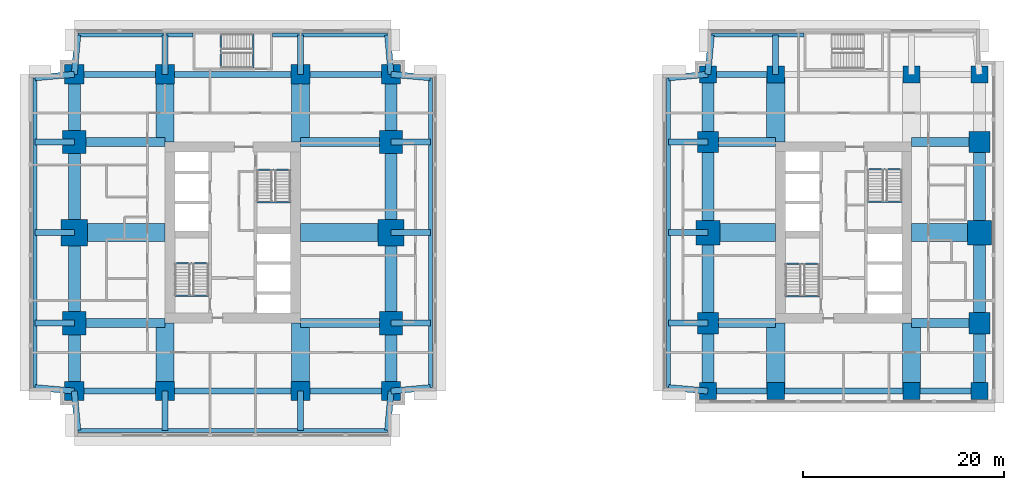
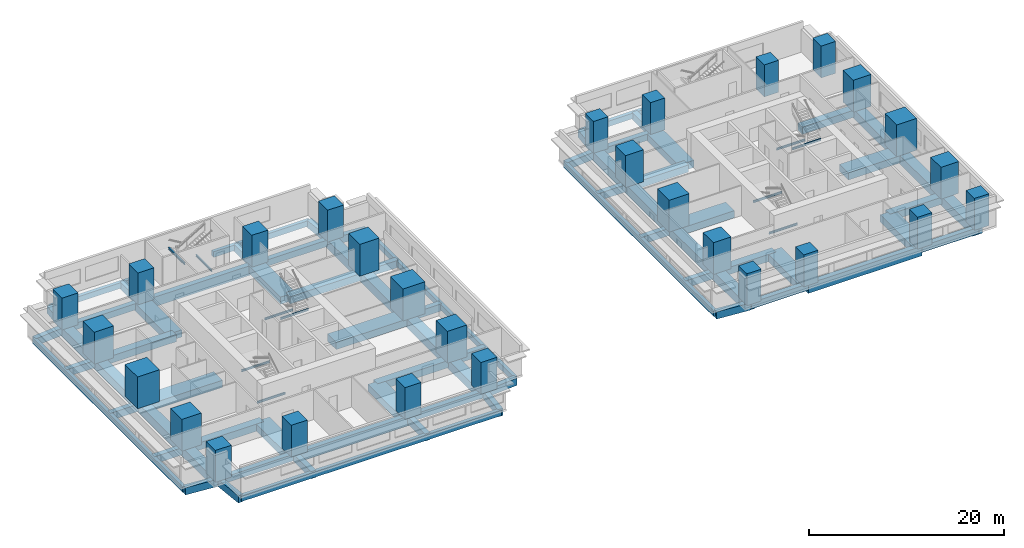
# One storey, part 1 of 11: 86 beams, 28 columns.
"""IFC4 building model written with IfcOpenShell, lengths in metres."""

from ifc_helpers import new_model, si_unit, direction, frame, origin, origin_2d, place, context, subcontext, project, spatial, rectangle, i_section, extrude, material, material_profile, profile_set, type_object, element, save


model = new_model("IFC4")

# Units and contexts
model_context = context("Model", 3, precision=1e-05, world=origin(), true_north=direction((0.0, 1.0)))
body_context = subcontext(model_context, "Body", "Model", "MODEL_VIEW")
ifc_project = project(units=[si_unit("LENGTHUNIT", "METRE"), si_unit("AREAUNIT", "SQUARE_METRE"), si_unit("VOLUMEUNIT", "CUBIC_METRE"), si_unit("PLANEANGLEUNIT", "RADIAN"), si_unit("MASSUNIT", "GRAM", prefix="KILO")], contexts=[model_context])

# Site, building, storey
site_placement = place(None, origin())
site = spatial("IfcSite", under=ifc_project, at=site_placement, CompositionType="ELEMENT")
building_placement = place(site_placement, origin())
building = spatial("IfcBuilding", under=site, at=building_placement, Name="Namib Vertical Campus", CompositionType="ELEMENT")
storey_placement = place(building_placement, frame((0.0, 0.0, 97.0)))
storey = spatial("IfcBuildingStorey", under=building, at=storey_placement, Name="L22", CompositionType="ELEMENT", Elevation=97.0)

# Columns
ifc_material_1 = material(Name="Concrete C60/75", Category="concrete")
ifc_material_profile_1 = material_profile(ifc_material_1, rectangle(XDim=1.699951171875, YDim=1.699951171875, at=origin_2d()))
ifc_profile_set_1 = profile_set([ifc_material_profile_1], Name="Concrete C60/75")
column_type_1 = type_object("IfcColumnType", Name="Column RC 1700x1700", PredefinedType="COLUMN", material=ifc_profile_set_1)
for number, where, z_axis, x_axis, name in (
    (1, (67.5, 4.5, 0.0), (0.0, 0.0, 1.0), (1.0, 0.0, 0.0), "Column C170 L22"),
    (2, (74.25, 4.5, 0.0), (0.0, 0.0, 1.0), (1.0, 0.0, 0.0), "Column C170 L22"),
    (3, (87.75, 4.5, 0.0), (0.0, 0.0, 1.0), (1.0, 0.0, 0.0), "Column C170 L22"),
    (4, (94.5, 4.5, 0.0), (0.0, 0.0, 1.0), (1.0, 0.0, 0.0), "Column C170 L22"),
    (5, (67.5, 36.0, 0.0), (0.0, 0.0, 1.0), (1.0, 0.0, 0.0), "Column C170 L22"),
    (6, (74.25, 36.0, 0.0), (0.0, 0.0, 1.0), (1.0, 0.0, 0.0), "Column C170 L22"),
    (7, (87.75, 36.0, 0.0), (0.0, 0.0, 1.0), (1.0, 0.0, 0.0), "Column C170 L22"),
    (8, (94.5, 36.0, 0.0), (0.0, 0.0, 1.0), (1.0, 0.0, 0.0), "Column C170 L22"),
):
    element("IfcColumn", number, at=place(storey_placement, frame(where, z_axis=z_axis, x_axis=x_axis)), inside=storey, type_object=column_type_1, Name=name, PredefinedType="COLUMN", context=body_context, shape_type="SweptSolid", body=[
        extrude(rectangle(XDim=1.699951171875, YDim=1.699951171875, at=origin_2d()), origin(), (0.0, 0.0, 1.0), 4.0),
    ])
ifc_material_2 = material(Name="Concrete C60/75", Category="concrete")
ifc_material_profile_2 = material_profile(ifc_material_2, rectangle(XDim=1.89990234375, YDim=1.89990234375, at=origin_2d()))
ifc_profile_set_2 = profile_set([ifc_material_profile_2], Name="Concrete C60/75")
column_type_2 = type_object("IfcColumnType", Name="Column RC 1900x1900", PredefinedType="COLUMN", material=ifc_profile_set_2)
for number, where, z_axis, x_axis, name in (
    (9, (4.5, 4.5, 0.0), (0.0, 0.0, 1.0), (1.0, 0.0, 0.0), "Column C190 L22"),
    (10, (13.5, 4.5, 0.0), (0.0, 0.0, 1.0), (1.0, 0.0, 0.0), "Column C190 L22"),
    (11, (27.0, 4.5, 0.0), (0.0, 0.0, 1.0), (1.0, 0.0, 0.0), "Column C190 L22"),
    (12, (36.0, 4.5, 0.0), (0.0, 0.0, 1.0), (1.0, 0.0, 0.0), "Column C190 L22"),
    (13, (4.5, 36.0, 0.0), (0.0, 0.0, 1.0), (1.0, 0.0, 0.0), "Column C190 L22"),
    (14, (13.5, 36.0, 0.0), (0.0, 0.0, 1.0), (1.0, 0.0, 0.0), "Column C190 L22"),
    (15, (27.0, 36.0, 0.0), (0.0, 0.0, 1.0), (1.0, 0.0, 0.0), "Column C190 L22"),
    (16, (36.0, 36.0, 0.0), (0.0, 0.0, 1.0), (1.0, 0.0, 0.0), "Column C190 L22"),
):
    element("IfcColumn", number, at=place(storey_placement, frame(where, z_axis=z_axis, x_axis=x_axis)), inside=storey, type_object=column_type_2, Name=name, PredefinedType="COLUMN", context=body_context, shape_type="SweptSolid", body=[
        extrude(rectangle(XDim=1.89990234375, YDim=1.89990234375, at=origin_2d()), origin(), (0.0, 0.0, 1.0), 4.0),
    ])
ifc_material_3 = material(Name="Concrete C60/75", Category="concrete")
ifc_material_profile_3 = material_profile(ifc_material_3, rectangle(XDim=2.10009765625, YDim=2.10009765625, at=origin_2d()))
ifc_profile_set_3 = profile_set([ifc_material_profile_3], Name="Concrete C60/75")
column_type_3 = type_object("IfcColumnType", Name="Column RC 2100x2100", PredefinedType="COLUMN", material=ifc_profile_set_3)
for number, where, z_axis, x_axis, name in (
    (17, (67.5, 11.25, 0.0), (0.0, 0.0, 1.0), (1.0, 0.0, 0.0), "Column C210 L22"),
    (18, (94.5, 11.25, 0.0), (0.0, 0.0, 1.0), (1.0, 0.0, 0.0), "Column C210 L22"),
    (19, (67.5, 29.25, 0.0), (0.0, 0.0, 1.0), (1.0, 0.0, 0.0), "Column C210 L22"),
    (20, (94.5, 29.25, 0.0), (0.0, 0.0, 1.0), (1.0, 0.0, 0.0), "Column C210 L22"),
):
    element("IfcColumn", number, at=place(storey_placement, frame(where, z_axis=z_axis, x_axis=x_axis)), inside=storey, type_object=column_type_3, Name=name, PredefinedType="COLUMN", context=body_context, shape_type="SweptSolid", body=[
        extrude(rectangle(XDim=2.10009765625, YDim=2.10009765625, at=origin_2d()), origin(), (0.0, 0.0, 1.0), 4.0),
    ])
ifc_material_4 = material(Name="Concrete C60/75", Category="concrete")
ifc_material_profile_4 = material_profile(ifc_material_4, rectangle(XDim=2.300048828125, YDim=2.300048828125, at=origin_2d()))
ifc_profile_set_4 = profile_set([ifc_material_profile_4], Name="Concrete C60/75")
column_type_4 = type_object("IfcColumnType", Name="Column RC 2300x2300", PredefinedType="COLUMN", material=ifc_profile_set_4)
for number, where, z_axis, x_axis, name in (
    (21, (4.5, 11.25, 0.0), (0.0, 0.0, 1.0), (1.0, 0.0, 0.0), "Column C230 L22"),
    (22, (36.0, 11.25, 0.0), (0.0, 0.0, 1.0), (1.0, 0.0, 0.0), "Column C230 L22"),
    (23, (4.5, 29.25, 0.0), (0.0, 0.0, 1.0), (1.0, 0.0, 0.0), "Column C230 L22"),
    (24, (36.0, 29.25, 0.0), (0.0, 0.0, 1.0), (1.0, 0.0, 0.0), "Column C230 L22"),
):
    element("IfcColumn", number, at=place(storey_placement, frame(where, z_axis=z_axis, x_axis=x_axis)), inside=storey, type_object=column_type_4, Name=name, PredefinedType="COLUMN", context=body_context, shape_type="SweptSolid", body=[
        extrude(rectangle(XDim=2.300048828125, YDim=2.300048828125, at=origin_2d()), origin(), (0.0, 0.0, 1.0), 4.0),
    ])
ifc_material_5 = material(Name="Concrete C60/75", Category="concrete")
ifc_material_profile_5 = material_profile(ifc_material_5, rectangle(XDim=2.39990234375, YDim=2.39990234375, at=origin_2d()))
ifc_profile_set_5 = profile_set([ifc_material_profile_5], Name="Concrete C60/75")
column_type_5 = type_object("IfcColumnType", Name="Column RC 2400x2400", PredefinedType="COLUMN", material=ifc_profile_set_5)
for number, where, z_axis, x_axis, name in (
    (25, (67.5, 20.25, 0.0), (0.0, 0.0, 1.0), (1.0, 0.0, 0.0), "Column C240 L22"),
    (26, (94.5, 20.25, 0.0), (0.0, 0.0, 1.0), (1.0, 0.0, 0.0), "Column C240 L22"),
):
    element("IfcColumn", number, at=place(storey_placement, frame(where, z_axis=z_axis, x_axis=x_axis)), inside=storey, type_object=column_type_5, Name=name, PredefinedType="COLUMN", context=body_context, shape_type="SweptSolid", body=[
        extrude(rectangle(XDim=2.39990234375, YDim=2.39990234375, at=origin_2d()), origin(), (0.0, 0.0, 1.0), 4.0),
    ])
ifc_material_6 = material(Name="Concrete C60/75", Category="concrete")
ifc_material_profile_6 = material_profile(ifc_material_6, rectangle(XDim=2.60009765625, YDim=2.60009765625, at=origin_2d()))
ifc_profile_set_6 = profile_set([ifc_material_profile_6], Name="Concrete C60/75")
column_type_6 = type_object("IfcColumnType", Name="Column RC 2600x2600", PredefinedType="COLUMN", material=ifc_profile_set_6)
for number, where, z_axis, x_axis, name in (
    (27, (4.5, 20.25, 0.0), (0.0, 0.0, 1.0), (1.0, 0.0, 0.0), "Column C260 L22"),
    (28, (36.0, 20.25, 0.0), (0.0, 0.0, 1.0), (1.0, 0.0, 0.0), "Column C260 L22"),
):
    element("IfcColumn", number, at=place(storey_placement, frame(where, z_axis=z_axis, x_axis=x_axis)), inside=storey, type_object=column_type_6, Name=name, PredefinedType="COLUMN", context=body_context, shape_type="SweptSolid", body=[
        extrude(rectangle(XDim=2.60009765625, YDim=2.60009765625, at=origin_2d()), origin(), (0.0, 0.0, 1.0), 4.0),
    ])

# Beams
ifc_material_7 = material(Name="Concrete C40/50", Category="concrete")
ifc_material_profile_7 = material_profile(ifc_material_7, rectangle(XDim=0.60009765625, YDim=0.89990234375, at=origin_2d()))
ifc_profile_set_7 = profile_set([ifc_material_profile_7], Name="Concrete C40/50")
beam_type_1 = type_object("IfcBeamType", Name="Cantilever girder RC 600x900", PredefinedType="BEAM", material=ifc_profile_set_7)
beam_1_placement = place(storey_placement, frame((4.5, 4.5, -0.699951171875), z_axis=(0.089411326146, -0.995994786511, 0.0), x_axis=(0.995994786511, 0.089411326146, 0.0)))
element("IfcBeam", 29, at=beam_1_placement, inside=storey, type_object=beam_type_1, Name="Beam B3 L22", PredefinedType="BEAM", context=body_context, shape_type="SweptSolid", body=[
    extrude(rectangle(XDim=0.60009765625, YDim=0.89990234375, at=origin_2d()), origin(), (0.0, 0.0, 1.0), 3.91552734375),
])
for number, where, z_axis, x_axis, name in (
    (30, (13.5, 4.5, -0.699951171875), (0.0, -1.0, 0.0), (1.0, 0.0, 0.0), "Beam B3 L22"),
    (31, (27.0, 4.5, -0.699951171875), (0.0, -1.0, 0.0), (1.0, 0.0, 0.0), "Beam B3 L22"),
):
    element("IfcBeam", number, at=place(storey_placement, frame(where, z_axis=z_axis, x_axis=x_axis)), inside=storey, type_object=beam_type_1, Name=name, PredefinedType="BEAM", context=body_context, shape_type="SweptSolid", body=[
        extrude(rectangle(XDim=0.60009765625, YDim=0.89990234375, at=origin_2d()), origin(), (0.0, 0.0, 1.0), 3.89990234375),
    ])
for number, where, z_axis, x_axis, name in (
    (32, (36.0, 4.5, -0.699951171875), (-0.089411326146, -0.995994786511, 0.0), (0.995994786511, -0.089411326146, 0.0), "Beam B3 L22"),
    (33, (4.5, 36.0, -0.699951171875), (0.089411326146, 0.995994786511, 0.0), (-0.995994786511, 0.089411326146, 0.0), "Beam B3 L22"),
):
    element("IfcBeam", number, at=place(storey_placement, frame(where, z_axis=z_axis, x_axis=x_axis)), inside=storey, type_object=beam_type_1, Name=name, PredefinedType="BEAM", context=body_context, shape_type="SweptSolid", body=[
        extrude(rectangle(XDim=0.60009765625, YDim=0.89990234375, at=origin_2d()), origin(), (0.0, 0.0, 1.0), 3.91552734375),
    ])
for number, where, z_axis, x_axis, name in (
    (34, (13.5, 36.0, -0.699951171875), (0.0, 1.0, 0.0), (-1.0, 0.0, 0.0), "Beam B3 L22"),
    (35, (27.0, 36.0, -0.699951171875), (0.0, 1.0, 0.0), (-1.0, 0.0, 0.0), "Beam B3 L22"),
):
    element("IfcBeam", number, at=place(storey_placement, frame(where, z_axis=z_axis, x_axis=x_axis)), inside=storey, type_object=beam_type_1, Name=name, PredefinedType="BEAM", context=body_context, shape_type="SweptSolid", body=[
        extrude(rectangle(XDim=0.60009765625, YDim=0.89990234375, at=origin_2d()), origin(), (0.0, 0.0, 1.0), 3.89990234375),
    ])
for number, where, z_axis, x_axis, name in (
    (36, (36.0, 36.0, -0.699951171875), (-0.089411326146, 0.995994786511, 0.0), (-0.995994786511, -0.089411326146, 0.0), "Beam B3 L22"),
    (37, (4.5, 4.5, -0.699951171875), (-0.995994786511, 0.089411326146, 0.0), (-0.089411326146, -0.995994786511, 0.0), "Beam B3 L22"),
):
    element("IfcBeam", number, at=place(storey_placement, frame(where, z_axis=z_axis, x_axis=x_axis)), inside=storey, type_object=beam_type_1, Name=name, PredefinedType="BEAM", context=body_context, shape_type="SweptSolid", body=[
        extrude(rectangle(XDim=0.60009765625, YDim=0.89990234375, at=origin_2d()), origin(), (0.0, 0.0, 1.0), 3.91552734375),
    ])
for number, where, z_axis, x_axis, name in (
    (38, (4.5, 11.25, -0.699951171875), (-1.0, 0.0, 0.0), (0.0, -1.0, 0.0), "Beam B3 L22"),
    (39, (4.5, 20.25, -0.699951171875), (-1.0, 0.0, 0.0), (0.0, -1.0, 0.0), "Beam B3 L22"),
    (40, (4.5, 29.25, -0.699951171875), (-1.0, 0.0, 0.0), (0.0, -1.0, 0.0), "Beam B3 L22"),
):
    element("IfcBeam", number, at=place(storey_placement, frame(where, z_axis=z_axis, x_axis=x_axis)), inside=storey, type_object=beam_type_1, Name=name, PredefinedType="BEAM", context=body_context, shape_type="SweptSolid", body=[
        extrude(rectangle(XDim=0.60009765625, YDim=0.89990234375, at=origin_2d()), origin(), (0.0, 0.0, 1.0), 3.89990234375),
    ])
for number, where, z_axis, x_axis, name in (
    (41, (4.5, 36.0, -0.699951171875), (-0.995994786511, -0.089411326146, 0.0), (0.089411326146, -0.995994786511, 0.0), "Beam B3 L22"),
    (42, (36.0, 4.5, -0.699951171875), (0.995994786511, 0.089411326146, 0.0), (-0.089411326146, 0.995994786511, 0.0), "Beam B3 L22"),
):
    element("IfcBeam", number, at=place(storey_placement, frame(where, z_axis=z_axis, x_axis=x_axis)), inside=storey, type_object=beam_type_1, Name=name, PredefinedType="BEAM", context=body_context, shape_type="SweptSolid", body=[
        extrude(rectangle(XDim=0.60009765625, YDim=0.89990234375, at=origin_2d()), origin(), (0.0, 0.0, 1.0), 3.91552734375),
    ])
for number, where, z_axis, x_axis, name in (
    (43, (36.0, 11.25, -0.699951171875), (1.0, 0.0, 0.0), (0.0, 1.0, 0.0), "Beam B3 L22"),
    (44, (36.0, 20.25, -0.699951171875), (1.0, 0.0, 0.0), (0.0, 1.0, 0.0), "Beam B3 L22"),
    (45, (36.0, 29.25, -0.699951171875), (1.0, 0.0, 0.0), (0.0, 1.0, 0.0), "Beam B3 L22"),
):
    element("IfcBeam", number, at=place(storey_placement, frame(where, z_axis=z_axis, x_axis=x_axis)), inside=storey, type_object=beam_type_1, Name=name, PredefinedType="BEAM", context=body_context, shape_type="SweptSolid", body=[
        extrude(rectangle(XDim=0.60009765625, YDim=0.89990234375, at=origin_2d()), origin(), (0.0, 0.0, 1.0), 3.89990234375),
    ])
for number, where, z_axis, x_axis, name in (
    (46, (36.0, 36.0, -0.699951171875), (0.995994786511, -0.089411326146, 0.0), (0.089411326146, 0.995994786511, 0.0), "Beam B3 L22"),
    (47, (67.5, 36.0, -0.699951171875), (0.089411326146, 0.995994786511, 0.0), (-0.995994786511, 0.089411326146, 0.0), "Beam B3 L22"),
):
    element("IfcBeam", number, at=place(storey_placement, frame(where, z_axis=z_axis, x_axis=x_axis)), inside=storey, type_object=beam_type_1, Name=name, PredefinedType="BEAM", context=body_context, shape_type="SweptSolid", body=[
        extrude(rectangle(XDim=0.60009765625, YDim=0.89990234375, at=origin_2d()), origin(), (0.0, 0.0, 1.0), 3.91552734375),
    ])
beam_2_placement = place(storey_placement, frame((74.25, 36.0, -0.699951171875), z_axis=(0.0, 1.0, 0.0), x_axis=(-1.0, 0.0, 0.0)))
element("IfcBeam", 48, at=beam_2_placement, inside=storey, type_object=beam_type_1, Name="Beam B3 L22", PredefinedType="BEAM", context=body_context, shape_type="SweptSolid", body=[
    extrude(rectangle(XDim=0.60009765625, YDim=0.89990234375, at=origin_2d()), origin(), (0.0, 0.0, 1.0), 3.89990234375),
])
beam_3_placement = place(storey_placement, frame((67.5, 4.5, -0.699951171875), z_axis=(-0.995994786511, 0.089411326146, 0.0), x_axis=(-0.089411326146, -0.995994786511, 0.0)))
element("IfcBeam", 49, at=beam_3_placement, inside=storey, type_object=beam_type_1, Name="Beam B3 L22", PredefinedType="BEAM", context=body_context, shape_type="SweptSolid", body=[
    extrude(rectangle(XDim=0.60009765625, YDim=0.89990234375, at=origin_2d()), origin(), (0.0, 0.0, 1.0), 3.91552734375),
])
for number, where, z_axis, x_axis, name in (
    (50, (67.5, 11.25, -0.699951171875), (-1.0, 0.0, 0.0), (0.0, -1.0, 0.0), "Beam B3 L22"),
    (51, (67.5, 20.25, -0.699951171875), (-1.0, 0.0, 0.0), (0.0, -1.0, 0.0), "Beam B3 L22"),
    (52, (67.5, 29.25, -0.699951171875), (-1.0, 0.0, 0.0), (0.0, -1.0, 0.0), "Beam B3 L22"),
):
    element("IfcBeam", number, at=place(storey_placement, frame(where, z_axis=z_axis, x_axis=x_axis)), inside=storey, type_object=beam_type_1, Name=name, PredefinedType="BEAM", context=body_context, shape_type="SweptSolid", body=[
        extrude(rectangle(XDim=0.60009765625, YDim=0.89990234375, at=origin_2d()), origin(), (0.0, 0.0, 1.0), 3.89990234375),
    ])
beam_4_placement = place(storey_placement, frame((67.5, 36.0, -0.699951171875), z_axis=(-0.995994786511, -0.089411326146, 0.0), x_axis=(0.089411326146, -0.995994786511, 0.0)))
element("IfcBeam", 53, at=beam_4_placement, inside=storey, type_object=beam_type_1, Name="Beam B3 L22", PredefinedType="BEAM", context=body_context, shape_type="SweptSolid", body=[
    extrude(rectangle(XDim=0.60009765625, YDim=0.89990234375, at=origin_2d()), origin(), (0.0, 0.0, 1.0), 3.91552734375),
])
ifc_material_8 = material(Name="Concrete C40/50", Category="concrete")
ifc_material_profile_8 = material_profile(ifc_material_8, rectangle(XDim=0.39990234375, YDim=0.699951171875, at=origin_2d()))
ifc_profile_set_8 = profile_set([ifc_material_profile_8], Name="Concrete C40/50")
beam_type_2 = type_object("IfcBeamType", Name="Edge beam RC 400x700", PredefinedType="SPANDREL", material=ifc_profile_set_8)
beam_5_placement = place(storey_placement, frame((4.85009765625, 0.60009765625, -0.60009765625), z_axis=(1.0, 0.0, 0.0), x_axis=(0.0, 1.0, 0.0)))
element("IfcBeam", 54, at=beam_5_placement, inside=storey, type_object=beam_type_2, Name="Beam B4 L22", PredefinedType="SPANDREL", context=body_context, shape_type="SweptSolid", body=[
    extrude(rectangle(XDim=0.39990234375, YDim=0.699951171875, at=origin_2d()), origin(), (0.0, 0.0, 1.0), 30.7998046875),
])
for number, where, z_axis, x_axis, name in (
    (55, (4.85009765625, 39.89990234375, -0.60009765625), (1.0, 0.0, 0.0), (0.0, 1.0, 0.0), "Beam B4 L22"),
    (56, (24.199951171875, 39.89990234375, -0.60009765625), (1.0, 0.0, 0.0), (0.0, 1.0, 0.0), "Beam B4 L22"),
):
    element("IfcBeam", number, at=place(storey_placement, frame(where, z_axis=z_axis, x_axis=x_axis)), inside=storey, type_object=beam_type_2, Name=name, PredefinedType="SPANDREL", context=body_context, shape_type="SweptSolid", body=[
        extrude(rectangle(XDim=0.39990234375, YDim=0.699951171875, at=origin_2d()), origin(), (0.0, 0.0, 1.0), 11.449951171875),
    ])
for number, where, z_axis, x_axis, name in (
    (57, (0.60009765625, 4.85009765625, -0.60009765625), (0.0, 1.0, 0.0), (-1.0, 0.0, 0.0), "Beam B4 L22"),
    (58, (39.89990234375, 4.85009765625, -0.60009765625), (0.0, 1.0, 0.0), (-1.0, 0.0, 0.0), "Beam B4 L22"),
):
    element("IfcBeam", number, at=place(storey_placement, frame(where, z_axis=z_axis, x_axis=x_axis)), inside=storey, type_object=beam_type_2, Name=name, PredefinedType="SPANDREL", context=body_context, shape_type="SweptSolid", body=[
        extrude(rectangle(XDim=0.39990234375, YDim=0.699951171875, at=origin_2d()), origin(), (0.0, 0.0, 1.0), 30.7998046875),
    ])
beam_6_placement = place(storey_placement, frame((67.85009765625, 39.89990234375, -0.60009765625), z_axis=(1.0, 0.0, 0.0), x_axis=(0.0, 1.0, 0.0)))
element("IfcBeam", 59, at=beam_6_placement, inside=storey, type_object=beam_type_2, Name="Beam B4 L22", PredefinedType="SPANDREL", context=body_context, shape_type="SweptSolid", body=[
    extrude(rectangle(XDim=0.39990234375, YDim=0.699951171875, at=origin_2d()), origin(), (0.0, 0.0, 1.0), 9.199951171875),
])
beam_7_placement = place(storey_placement, frame((63.60009765625, 4.85009765625, -0.60009765625), z_axis=(0.0, 1.0, 0.0), x_axis=(-1.0, 0.0, 0.0)))
element("IfcBeam", 60, at=beam_7_placement, inside=storey, type_object=beam_type_2, Name="Beam B4 L22", PredefinedType="SPANDREL", context=body_context, shape_type="SweptSolid", body=[
    extrude(rectangle(XDim=0.39990234375, YDim=0.699951171875, at=origin_2d()), origin(), (0.0, 0.0, 1.0), 30.7998046875),
])
ifc_material_9 = material(Name="Concrete C40/50", Category="concrete")
ifc_material_profile_9 = material_profile(ifc_material_9, rectangle(XDim=0.89990234375, YDim=0.89990234375, at=origin_2d()))
ifc_profile_set_9 = profile_set([ifc_material_profile_9], Name="Concrete C40/50")
beam_type_3 = type_object("IfcBeamType", Name="Face girder RC 900x900", PredefinedType="BEAM", material=ifc_profile_set_9)
for number, where, z_axis, x_axis, name in (
    (61, (4.5, 11.25, -0.699951171875), (1.0, 0.0, 0.0), (0.0, 1.0, 0.0), "Beam B10 L22"),
    (62, (36.0, 11.25, -0.699951171875), (-1.0, 0.0, 0.0), (0.0, -1.0, 0.0), "Beam B10 L22"),
    (63, (4.5, 29.25, -0.699951171875), (1.0, 0.0, 0.0), (0.0, 1.0, 0.0), "Beam B10 L22"),
    (64, (36.0, 29.25, -0.699951171875), (-1.0, 0.0, 0.0), (0.0, -1.0, 0.0), "Beam B10 L22"),
):
    element("IfcBeam", number, at=place(storey_placement, frame(where, z_axis=z_axis, x_axis=x_axis)), inside=storey, type_object=beam_type_3, Name=name, PredefinedType="BEAM", context=body_context, shape_type="SweptSolid", body=[
        extrude(rectangle(XDim=0.89990234375, YDim=0.89990234375, at=origin_2d()), origin(), (0.0, 0.0, 1.0), 9.0),
    ])
for number, where, z_axis, x_axis, name in (
    (65, (67.5, 11.25, -0.699951171875), (1.0, 0.0, 0.0), (0.0, 1.0, 0.0), "Beam B10 L22"),
    (66, (94.5, 11.25, -0.699951171875), (-1.0, 0.0, 0.0), (0.0, -1.0, 0.0), "Beam B10 L22"),
    (67, (67.5, 29.25, -0.699951171875), (1.0, 0.0, 0.0), (0.0, 1.0, 0.0), "Beam B10 L22"),
    (68, (94.5, 29.25, -0.699951171875), (-1.0, 0.0, 0.0), (0.0, -1.0, 0.0), "Beam B10 L22"),
):
    element("IfcBeam", number, at=place(storey_placement, frame(where, z_axis=z_axis, x_axis=x_axis)), inside=storey, type_object=beam_type_3, Name=name, PredefinedType="BEAM", context=body_context, shape_type="SweptSolid", body=[
        extrude(rectangle(XDim=0.89990234375, YDim=0.89990234375, at=origin_2d()), origin(), (0.0, 0.0, 1.0), 6.75),
    ])
ifc_material_10 = material(Name="Concrete C40/50", Category="concrete")
ifc_material_profile_10 = material_profile(ifc_material_10, rectangle(XDim=1.199951171875, YDim=1.10009765625, at=origin_2d()))
ifc_profile_set_10 = profile_set([ifc_material_profile_10], Name="Concrete C40/50")
beam_type_4 = type_object("IfcBeamType", Name="Face ring beam RC 1200x1100", PredefinedType="BEAM", material=ifc_profile_set_10)
beam_8_placement = place(storey_placement, frame((4.5, 4.5, -0.800048828125), z_axis=(0.0, 1.0, 0.0), x_axis=(-1.0, 0.0, 0.0)))
element("IfcBeam", 69, at=beam_8_placement, inside=storey, type_object=beam_type_4, Name="Beam B11 L22", PredefinedType="BEAM", context=body_context, shape_type="SweptSolid", body=[
    extrude(rectangle(XDim=1.199951171875, YDim=1.10009765625, at=origin_2d()), origin(), (0.0, 0.0, 1.0), 6.75),
])
for number, where, z_axis, x_axis, name in (
    (70, (4.5, 11.25, -0.800048828125), (0.0, 1.0, 0.0), (-1.0, 0.0, 0.0), "Beam B11 L22"),
    (71, (4.5, 20.25, -0.800048828125), (0.0, 1.0, 0.0), (-1.0, 0.0, 0.0), "Beam B11 L22"),
):
    element("IfcBeam", number, at=place(storey_placement, frame(where, z_axis=z_axis, x_axis=x_axis)), inside=storey, type_object=beam_type_4, Name=name, PredefinedType="BEAM", context=body_context, shape_type="SweptSolid", body=[
        extrude(rectangle(XDim=1.199951171875, YDim=1.10009765625, at=origin_2d()), origin(), (0.0, 0.0, 1.0), 9.0),
    ])
for number, where, z_axis, x_axis, name in (
    (72, (4.5, 29.25, -0.800048828125), (0.0, 1.0, 0.0), (-1.0, 0.0, 0.0), "Beam B11 L22"),
    (73, (36.0, 4.5, -0.800048828125), (0.0, 1.0, 0.0), (-1.0, 0.0, 0.0), "Beam B11 L22"),
):
    element("IfcBeam", number, at=place(storey_placement, frame(where, z_axis=z_axis, x_axis=x_axis)), inside=storey, type_object=beam_type_4, Name=name, PredefinedType="BEAM", context=body_context, shape_type="SweptSolid", body=[
        extrude(rectangle(XDim=1.199951171875, YDim=1.10009765625, at=origin_2d()), origin(), (0.0, 0.0, 1.0), 6.75),
    ])
for number, where, z_axis, x_axis, name in (
    (74, (36.0, 11.25, -0.800048828125), (0.0, 1.0, 0.0), (-1.0, 0.0, 0.0), "Beam B11 L22"),
    (75, (36.0, 20.25, -0.800048828125), (0.0, 1.0, 0.0), (-1.0, 0.0, 0.0), "Beam B11 L22"),
):
    element("IfcBeam", number, at=place(storey_placement, frame(where, z_axis=z_axis, x_axis=x_axis)), inside=storey, type_object=beam_type_4, Name=name, PredefinedType="BEAM", context=body_context, shape_type="SweptSolid", body=[
        extrude(rectangle(XDim=1.199951171875, YDim=1.10009765625, at=origin_2d()), origin(), (0.0, 0.0, 1.0), 9.0),
    ])
for number, where, z_axis, x_axis, name in (
    (76, (36.0, 29.25, -0.800048828125), (0.0, 1.0, 0.0), (-1.0, 0.0, 0.0), "Beam B11 L22"),
    (77, (67.5, 4.5, -0.800048828125), (0.0, 1.0, 0.0), (-1.0, 0.0, 0.0), "Beam B11 L22"),
):
    element("IfcBeam", number, at=place(storey_placement, frame(where, z_axis=z_axis, x_axis=x_axis)), inside=storey, type_object=beam_type_4, Name=name, PredefinedType="BEAM", context=body_context, shape_type="SweptSolid", body=[
        extrude(rectangle(XDim=1.199951171875, YDim=1.10009765625, at=origin_2d()), origin(), (0.0, 0.0, 1.0), 6.75),
    ])
for number, where, z_axis, x_axis, name in (
    (78, (67.5, 11.25, -0.800048828125), (0.0, 1.0, 0.0), (-1.0, 0.0, 0.0), "Beam B11 L22"),
    (79, (67.5, 20.25, -0.800048828125), (0.0, 1.0, 0.0), (-1.0, 0.0, 0.0), "Beam B11 L22"),
):
    element("IfcBeam", number, at=place(storey_placement, frame(where, z_axis=z_axis, x_axis=x_axis)), inside=storey, type_object=beam_type_4, Name=name, PredefinedType="BEAM", context=body_context, shape_type="SweptSolid", body=[
        extrude(rectangle(XDim=1.199951171875, YDim=1.10009765625, at=origin_2d()), origin(), (0.0, 0.0, 1.0), 9.0),
    ])
for number, where, z_axis, x_axis, name in (
    (80, (67.5, 29.25, -0.800048828125), (0.0, 1.0, 0.0), (-1.0, 0.0, 0.0), "Beam B11 L22"),
    (81, (94.5, 4.5, -0.800048828125), (0.0, 1.0, 0.0), (-1.0, 0.0, 0.0), "Beam B11 L22"),
):
    element("IfcBeam", number, at=place(storey_placement, frame(where, z_axis=z_axis, x_axis=x_axis)), inside=storey, type_object=beam_type_4, Name=name, PredefinedType="BEAM", context=body_context, shape_type="SweptSolid", body=[
        extrude(rectangle(XDim=1.199951171875, YDim=1.10009765625, at=origin_2d()), origin(), (0.0, 0.0, 1.0), 6.75),
    ])
for number, where, z_axis, x_axis, name in (
    (82, (94.5, 11.25, -0.800048828125), (0.0, 1.0, 0.0), (-1.0, 0.0, 0.0), "Beam B11 L22"),
    (83, (94.5, 20.25, -0.800048828125), (0.0, 1.0, 0.0), (-1.0, 0.0, 0.0), "Beam B11 L22"),
):
    element("IfcBeam", number, at=place(storey_placement, frame(where, z_axis=z_axis, x_axis=x_axis)), inside=storey, type_object=beam_type_4, Name=name, PredefinedType="BEAM", context=body_context, shape_type="SweptSolid", body=[
        extrude(rectangle(XDim=1.199951171875, YDim=1.10009765625, at=origin_2d()), origin(), (0.0, 0.0, 1.0), 9.0),
    ])
ifc_material_11 = material(Name="Steel S355JR", Category="steel")
ifc_material_profile_11 = material_profile(ifc_material_11, i_section(OverallWidth=0.14599609375, OverallDepth=0.25146484375, WebThickness=0.006103515625, FlangeThickness=0.008544921875, FilletRadius=0.007568359375, at=origin_2d()))
ifc_profile_set_11 = profile_set([ifc_material_profile_11], Name="Steel S355JR")
beam_type_5 = type_object("IfcBeamType", Name="Landing trimmer UB 254x146x31", PredefinedType="BEAM", material=ifc_profile_set_11)
for number, where, z_axis, x_axis, name in (
    (84, (14.5, 13.97705078125, -0.125732421875), (1.0, 0.0, 0.0), (0.0, 1.0, 0.0), "Landing trimmer LT1 A-S1 L22 1"),
    (85, (14.5, 17.203125, 1.874267578125), (1.0, 0.0, 0.0), (0.0, 1.0, 0.0), "Landing trimmer LT1 A-S1 L22 2"),
    (86, (22.64990234375, 26.52294921875, -0.125732421875), (1.0, 0.0, 0.0), (0.0, 1.0, 0.0), "Landing trimmer LT1 A-S2 L22 1"),
    (87, (22.64990234375, 23.296875, 1.874267578125), (1.0, 0.0, 0.0), (0.0, 1.0, 0.0), "Landing trimmer LT1 A-S2 L22 2"),
):
    element("IfcBeam", number, at=place(storey_placement, frame(where, z_axis=z_axis, x_axis=x_axis)), inside=storey, type_object=beam_type_5, Name=name, PredefinedType="BEAM", context=body_context, shape_type="SweptSolid", body=[
        extrude(i_section(OverallWidth=0.14599609375, OverallDepth=0.25146484375, WebThickness=0.006103515625, FlangeThickness=0.008544921875, FilletRadius=0.007568359375, at=origin_2d()), origin(), (0.0, 0.0, 1.0), 3.35009765625),
    ])
for number, where, z_axis, x_axis, name in (
    (88, (75.199951171875, 13.927001953125, -0.125732421875), (1.0, 0.0, 0.0), (0.0, 1.0, 0.0), "Landing trimmer LT1 B-S1 L22 1"),
    (89, (75.199951171875, 17.153076171875, 1.874267578125), (1.0, 0.0, 0.0), (0.0, 1.0, 0.0), "Landing trimmer LT1 B-S1 L22 2"),
    (90, (83.39990234375, 26.572998046875, -0.125732421875), (1.0, 0.0, 0.0), (0.0, 1.0, 0.0), "Landing trimmer LT1 B-S2 L22 1"),
    (91, (83.39990234375, 23.346923828125, 1.874267578125), (1.0, 0.0, 0.0), (0.0, 1.0, 0.0), "Landing trimmer LT1 B-S2 L22 2"),
):
    element("IfcBeam", number, at=place(storey_placement, frame(where, z_axis=z_axis, x_axis=x_axis)), inside=storey, type_object=beam_type_5, Name=name, PredefinedType="BEAM", context=body_context, shape_type="SweptSolid", body=[
        extrude(i_section(OverallWidth=0.14599609375, OverallDepth=0.25146484375, WebThickness=0.006103515625, FlangeThickness=0.008544921875, FilletRadius=0.007568359375, at=origin_2d()), origin(), (0.0, 0.0, 1.0), 3.400146484375),
    ])
for number, where, z_axis, x_axis, name in (
    (92, (22.27294921875, 36.64990234375, -0.125732421875), (0.0, 1.0, 0.0), (-1.0, 0.0, 0.0), "Landing trimmer LT1 A-S3 L22 1"),
    (93, (19.046875, 36.64990234375, 1.874267578125), (0.0, 1.0, 0.0), (-1.0, 0.0, 0.0), "Landing trimmer LT1 A-S3 L22 2"),
):
    element("IfcBeam", number, at=place(storey_placement, frame(where, z_axis=z_axis, x_axis=x_axis)), inside=storey, type_object=beam_type_5, Name=name, PredefinedType="BEAM", context=body_context, shape_type="SweptSolid", body=[
        extrude(i_section(OverallWidth=0.14599609375, OverallDepth=0.25146484375, WebThickness=0.006103515625, FlangeThickness=0.008544921875, FilletRadius=0.007568359375, at=origin_2d()), origin(), (0.0, 0.0, 1.0), 3.35009765625),
    ])
ifc_material_12 = material(Name="Concrete C40/50", Category="concrete")
ifc_material_profile_12 = material_profile(ifc_material_12, rectangle(XDim=0.60009765625, YDim=1.199951171875, at=origin_2d()))
ifc_profile_set_12 = profile_set([ifc_material_profile_12], Name="Concrete C40/50")
beam_type_6 = type_object("IfcBeamType", Name="Long-span ring beam RC 600x1200", PredefinedType="BEAM", material=ifc_profile_set_12)
for number, where, z_axis, x_axis, name in (
    (94, (13.5, 4.5, -0.85009765625), (1.0, 0.0, 0.0), (0.0, 1.0, 0.0), "Beam B9 L22"),
    (95, (13.5, 36.0, -0.85009765625), (1.0, 0.0, 0.0), (0.0, 1.0, 0.0), "Beam B9 L22"),
    (96, (74.25, 4.5, -0.85009765625), (1.0, 0.0, 0.0), (0.0, 1.0, 0.0), "Beam B9 L22"),
):
    element("IfcBeam", number, at=place(storey_placement, frame(where, z_axis=z_axis, x_axis=x_axis)), inside=storey, type_object=beam_type_6, Name=name, PredefinedType="BEAM", context=body_context, shape_type="SweptSolid", body=[
        extrude(rectangle(XDim=0.60009765625, YDim=1.199951171875, at=origin_2d()), origin(), (0.0, 0.0, 1.0), 13.5),
    ])
ifc_material_13 = material(Name="Concrete C40/50", Category="concrete")
ifc_material_profile_13 = material_profile(ifc_material_13, rectangle(XDim=1.800048828125, YDim=0.89990234375, at=origin_2d()))
ifc_profile_set_13 = profile_set([ifc_material_profile_13], Name="Concrete C40/50")
beam_type_7 = type_object("IfcBeamType", Name="Outrigger line girder RC 1800x900", PredefinedType="BEAM", material=ifc_profile_set_13)
for number, where, z_axis, x_axis, name in (
    (97, (13.5, 4.5, -0.699951171875), (0.0, 1.0, 0.0), (-1.0, 0.0, 0.0), "Beam B12 L22"),
    (98, (13.5, 36.0, -0.699951171875), (0.0, -1.0, 0.0), (1.0, 0.0, 0.0), "Beam B12 L22"),
    (99, (27.0, 4.5, -0.699951171875), (0.0, 1.0, 0.0), (-1.0, 0.0, 0.0), "Beam B12 L22"),
    (100, (27.0, 36.0, -0.699951171875), (0.0, -1.0, 0.0), (1.0, 0.0, 0.0), "Beam B12 L22"),
):
    element("IfcBeam", number, at=place(storey_placement, frame(where, z_axis=z_axis, x_axis=x_axis)), inside=storey, type_object=beam_type_7, Name=name, PredefinedType="BEAM", context=body_context, shape_type="SweptSolid", body=[
        extrude(rectangle(XDim=1.800048828125, YDim=0.89990234375, at=origin_2d()), origin(), (0.0, 0.0, 1.0), 6.75),
    ])
for number, where, z_axis, x_axis, name in (
    (101, (4.5, 20.25, -0.699951171875), (1.0, 0.0, 0.0), (0.0, 1.0, 0.0), "Beam B12 L22"),
    (102, (36.0, 20.25, -0.699951171875), (-1.0, 0.0, 0.0), (0.0, -1.0, 0.0), "Beam B12 L22"),
):
    element("IfcBeam", number, at=place(storey_placement, frame(where, z_axis=z_axis, x_axis=x_axis)), inside=storey, type_object=beam_type_7, Name=name, PredefinedType="BEAM", context=body_context, shape_type="SweptSolid", body=[
        extrude(rectangle(XDim=1.800048828125, YDim=0.89990234375, at=origin_2d()), origin(), (0.0, 0.0, 1.0), 9.0),
    ])
for number, where, z_axis, x_axis, name in (
    (103, (74.25, 4.5, -0.699951171875), (0.0, 1.0, 0.0), (-1.0, 0.0, 0.0), "Beam B12 L22"),
    (104, (74.25, 36.0, -0.699951171875), (0.0, -1.0, 0.0), (1.0, 0.0, 0.0), "Beam B12 L22"),
    (105, (87.75, 4.5, -0.699951171875), (0.0, 1.0, 0.0), (-1.0, 0.0, 0.0), "Beam B12 L22"),
    (106, (67.5, 20.25, -0.699951171875), (1.0, 0.0, 0.0), (0.0, 1.0, 0.0), "Beam B12 L22"),
    (107, (94.5, 20.25, -0.699951171875), (-1.0, 0.0, 0.0), (0.0, -1.0, 0.0), "Beam B12 L22"),
):
    element("IfcBeam", number, at=place(storey_placement, frame(where, z_axis=z_axis, x_axis=x_axis)), inside=storey, type_object=beam_type_7, Name=name, PredefinedType="BEAM", context=body_context, shape_type="SweptSolid", body=[
        extrude(rectangle(XDim=1.800048828125, YDim=0.89990234375, at=origin_2d()), origin(), (0.0, 0.0, 1.0), 6.75),
    ])
ifc_material_14 = material(Name="Concrete C40/50", Category="concrete")
ifc_material_profile_14 = material_profile(ifc_material_14, rectangle(XDim=0.60009765625, YDim=0.800048828125, at=origin_2d()))
ifc_profile_set_14 = profile_set([ifc_material_profile_14], Name="Concrete C40/50")
beam_type_8 = type_object("IfcBeamType", Name="Ring beam RC 600x800", PredefinedType="BEAM", material=ifc_profile_set_14)
for number, where, z_axis, x_axis, name in (
    (108, (4.5, 4.5, -0.64990234375), (1.0, 0.0, 0.0), (0.0, 1.0, 0.0), "Beam B1 L22"),
    (109, (27.0, 4.5, -0.64990234375), (1.0, 0.0, 0.0), (0.0, 1.0, 0.0), "Beam B1 L22"),
    (110, (4.5, 36.0, -0.64990234375), (1.0, 0.0, 0.0), (0.0, 1.0, 0.0), "Beam B1 L22"),
    (111, (27.0, 36.0, -0.64990234375), (1.0, 0.0, 0.0), (0.0, 1.0, 0.0), "Beam B1 L22"),
):
    element("IfcBeam", number, at=place(storey_placement, frame(where, z_axis=z_axis, x_axis=x_axis)), inside=storey, type_object=beam_type_8, Name=name, PredefinedType="BEAM", context=body_context, shape_type="SweptSolid", body=[
        extrude(rectangle(XDim=0.60009765625, YDim=0.800048828125, at=origin_2d()), origin(), (0.0, 0.0, 1.0), 9.0),
    ])
for number, where, z_axis, x_axis, name in (
    (112, (67.5, 4.5, -0.64990234375), (1.0, 0.0, 0.0), (0.0, 1.0, 0.0), "Beam B1 L22"),
    (113, (87.75, 4.5, -0.64990234375), (1.0, 0.0, 0.0), (0.0, 1.0, 0.0), "Beam B1 L22"),
    (114, (67.5, 36.0, -0.64990234375), (1.0, 0.0, 0.0), (0.0, 1.0, 0.0), "Beam B1 L22"),
):
    element("IfcBeam", number, at=place(storey_placement, frame(where, z_axis=z_axis, x_axis=x_axis)), inside=storey, type_object=beam_type_8, Name=name, PredefinedType="BEAM", context=body_context, shape_type="SweptSolid", body=[
        extrude(rectangle(XDim=0.60009765625, YDim=0.800048828125, at=origin_2d()), origin(), (0.0, 0.0, 1.0), 6.75),
    ])

save(model, "model.ifc")
